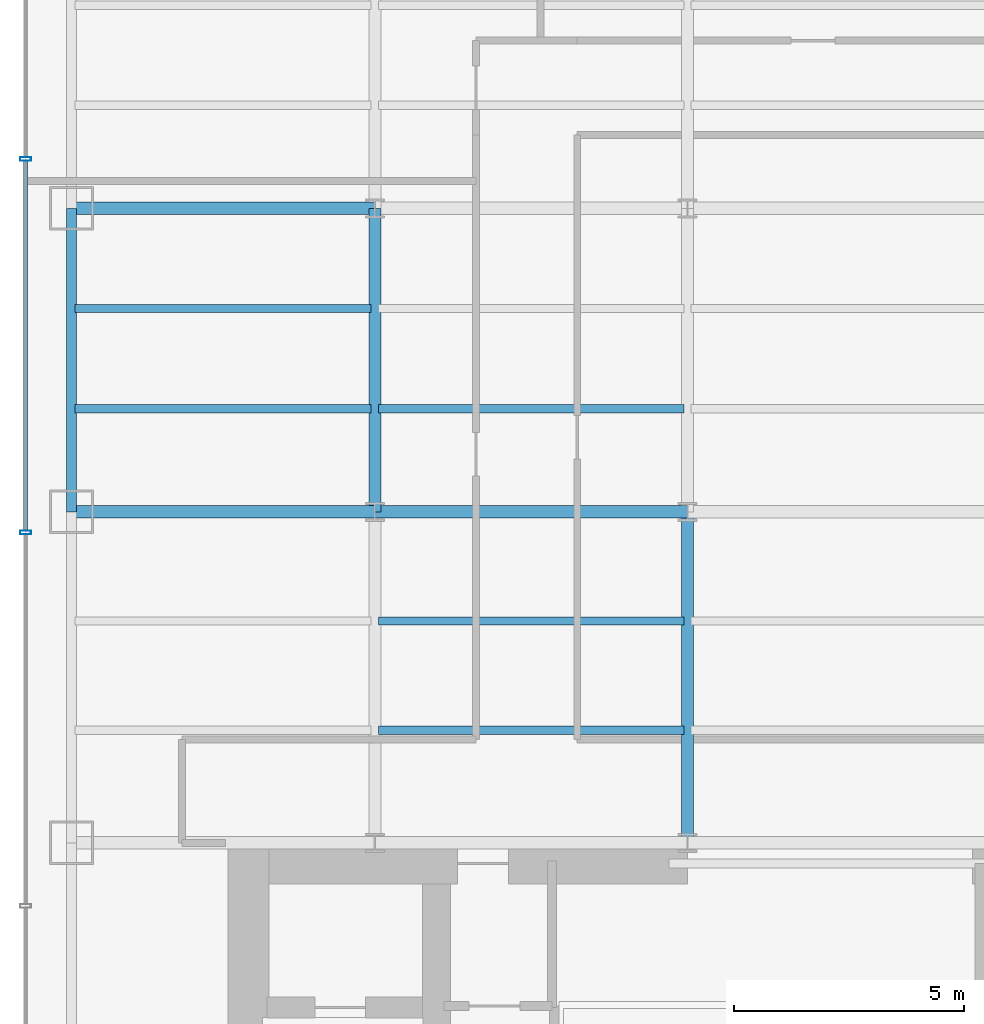
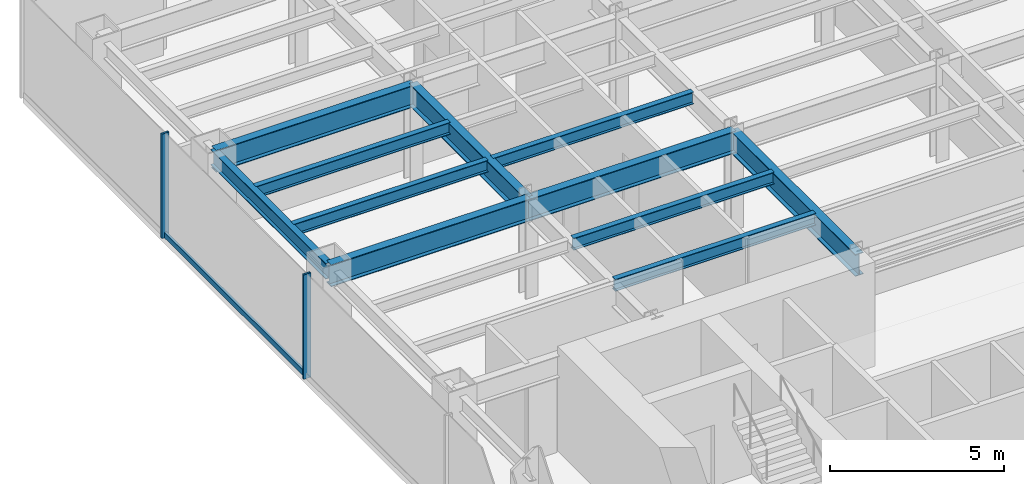
# One storey, part 4 of 23: 11 beams, 3 members, 1 element without a shape of its own.
"""IFC4 building model written with IfcOpenShell, lengths in metres."""

from ifc_helpers import new_model, si_unit, derived_unit, direction, frame, origin, origin_2d, place, context, subcontext, project, spatial, hollow_rectangle, i_section, extrude, source, transform, mapped, material, material_profile, profile_set, type_object, element, aggregate, save


model = new_model("IFC4")

# Units and contexts
model_context = context("Model", 3, precision=1e-05, world=origin(), true_north=direction((0.0, 1.0)))
body_context = subcontext(model_context, "Body", "Model", "MODEL_VIEW")
ifc_project = project(units=[si_unit("LENGTHUNIT", "METRE"), si_unit("AREAUNIT", "SQUARE_METRE"), si_unit("VOLUMEUNIT", "CUBIC_METRE"), si_unit("PLANEANGLEUNIT", "RADIAN"), si_unit("MASSUNIT", "GRAM", prefix="KILO"), derived_unit("THERMALTRANSMITTANCEUNIT", [(si_unit("POWERUNIT", "WATT"), 1), (si_unit("LENGTHUNIT", "METRE"), -2), (si_unit("THERMODYNAMICTEMPERATUREUNIT", "KELVIN"), -1)])], contexts=[model_context])

# Site, building, storey
site_placement = place(None, origin())
site = spatial("IfcSite", under=ifc_project, at=site_placement, CompositionType="ELEMENT")
building_placement = place(site_placement, origin())
building = spatial("IfcBuilding", under=site, at=building_placement, Name="Skarnbrae Concourse Arena and Tower", CompositionType="ELEMENT")
storey_placement = place(building_placement, frame((0.0, 0.0, 54.39990234375)))
storey = spatial("IfcBuildingStorey", under=building, at=storey_placement, Name="L12", CompositionType="ELEMENT", Elevation=54.39990234375)

# Beams
ifc_material_1 = material(Name="Steel CSA G40.21 350W", Category="steel")
ifc_material_profile_1 = material_profile(ifc_material_1, i_section(OverallWidth=0.26806640625, OverallDepth=0.77001953125, WebThickness=0.015625, FlangeThickness=0.025390625, at=origin_2d()), Name="W760X196")
ifc_profile_set_1 = profile_set([ifc_material_profile_1], Name="Steel CSA G40.21 350W")
beam_type_1 = type_object("IfcBeamType", Name="BM-GIRD-W760X196", PredefinedType="BEAM", material=ifc_profile_set_1)
shared_shape_1 = source(origin(), body_context, "Body", "SweptSolid", [
    extrude(i_section(OverallWidth=0.26806640625, OverallDepth=0.77001953125, WebThickness=0.015625, FlangeThickness=0.025390625, at=origin_2d()), origin(), (0.0, 0.0, 1.0), 6.60009765625),
])
for number, where, z_axis, x_axis, name in (
    (1, (1.0, 21.199951171875, 3.01513671875), (1.0, 0.0, 0.0), (0.0, 1.0, 0.0), "L12 Primary E-W girder Y21.2-1"),
    (2, (1.0, 27.800048828125, 3.01513671875), (1.0, 0.0, 0.0), (0.0, 1.0, 0.0), "L12 Primary E-W girder Y27.8-1"),
    (3, (7.60009765625, 21.199951171875, 3.01513671875), (0.0, 1.0, 0.0), (-1.0, 0.0, 0.0), "L12 Primary N-S girder X7.6-2"),
):
    element("IfcBeam", number, at=place(storey_placement, frame(where, z_axis=z_axis, x_axis=x_axis)), inside=storey, type_object=beam_type_1, Name=name, PredefinedType="BEAM", context=body_context, shape_type="MappedRepresentation", body=[
        mapped(shared_shape_1, transform((0.0, 0.0, 0.0))),
    ])
shared_shape_2 = source(origin(), body_context, "Body", "SweptSolid", [
    extrude(i_section(OverallWidth=0.26806640625, OverallDepth=0.77001953125, WebThickness=0.015625, FlangeThickness=0.025390625, at=origin_2d()), origin(), (0.0, 0.0, 1.0), 6.7998046875),
])
beam_1_placement = place(storey_placement, frame((7.60009765625, 21.199951171875, 3.01513671875), z_axis=(1.0, 0.0, 0.0), x_axis=(0.0, 1.0, 0.0)))
element("IfcBeam", 4, at=beam_1_placement, inside=storey, type_object=beam_type_1, Name="L12 Primary E-W girder Y21.2-2", PredefinedType="BEAM", context=body_context, shape_type="MappedRepresentation", body=[
    mapped(shared_shape_2, transform((0.0, 0.0, 0.0))),
])
ifc_material_profile_2 = material_profile(ifc_material_1, i_section(OverallWidth=0.214111328125, OverallDepth=0.549072265625, WebThickness=0.0146484375, FlangeThickness=0.023681640625, at=origin_2d()), Name="W530X138")
ifc_profile_set_2 = profile_set([ifc_material_profile_2], Name="Steel CSA G40.21 350W")
beam_type_2 = type_object("IfcBeamType", Name="BM-SPAN-W530X138", PredefinedType="SPANDREL", material=ifc_profile_set_2)
shared_shape_3 = source(origin(), body_context, "Body", "SweptSolid", [
    extrude(i_section(OverallWidth=0.214111328125, OverallDepth=0.549072265625, WebThickness=0.0146484375, FlangeThickness=0.023681640625, at=origin_2d()), origin(), (0.0, 0.0, 1.0), 6.60009765625),
])
beam_2_placement = place(storey_placement, frame((1.0, 21.199951171875, 3.12548828125), z_axis=(0.0, 1.0, 0.0), x_axis=(-1.0, 0.0, 0.0)))
element("IfcBeam", 5, at=beam_2_placement, inside=storey, type_object=beam_type_2, Name="L12 Perimeter spandrel X1.0-3", PredefinedType="SPANDREL", context=body_context, shape_type="MappedRepresentation", body=[
    mapped(shared_shape_3, transform((0.0, 0.0, 0.0))),
])
shared_shape_4 = source(origin(), body_context, "Body", "SweptSolid", [
    extrude(i_section(OverallWidth=0.26806640625, OverallDepth=0.77001953125, WebThickness=0.015625, FlangeThickness=0.025390625, at=origin_2d()), origin(), (0.0, 0.0, 1.0), 7.199951171875),
])
beam_3_placement = place(storey_placement, frame((14.39990234375, 14.0, 3.01513671875), z_axis=(0.0, 1.0, 0.0), x_axis=(-1.0, 0.0, 0.0)))
element("IfcBeam", 6, at=beam_3_placement, inside=storey, type_object=beam_type_1, Name="L12 Primary N-S girder X14.4-1", PredefinedType="BEAM", context=body_context, shape_type="MappedRepresentation", body=[
    mapped(shared_shape_4, transform((0.0, 0.0, 0.0))),
])
ifc_material_profile_3 = material_profile(ifc_material_1, i_section(OverallWidth=0.180908203125, OverallDepth=0.4169921875, WebThickness=0.010986328125, FlangeThickness=0.018310546875, at=origin_2d()), Name="W410X85")
ifc_profile_set_3 = profile_set([ifc_material_profile_3], Name="Steel CSA G40.21 350W")
beam_type_3 = type_object("IfcBeamType", Name="BM-JOIST-W410X85", PredefinedType="JOIST", material=ifc_profile_set_3)
shared_shape_5 = source(origin(), body_context, "Body", "SweptSolid", [
    extrude(i_section(OverallWidth=0.180908203125, OverallDepth=0.4169921875, WebThickness=0.010986328125, FlangeThickness=0.018310546875, at=origin_2d()), origin(), (0.0, 0.0, 1.0), 6.43994140625),
])
for number, where, z_axis, x_axis, name in (
    (7, (1.080078125, 23.444091796875, 3.191650390625), (1.0, 0.0, 0.0), (0.0, 1.0, 0.0), "L12 Secondary floor joist 2.1.1"),
    (8, (1.080078125, 25.6220703125, 3.191650390625), (1.0, 0.0, 0.0), (0.0, 1.0, 0.0), "L12 Secondary floor joist 2.2.1"),
):
    element("IfcBeam", number, at=place(storey_placement, frame(where, z_axis=z_axis, x_axis=x_axis)), inside=storey, type_object=beam_type_3, Name=name, PredefinedType="JOIST", context=body_context, shape_type="MappedRepresentation", body=[
        mapped(shared_shape_5, transform((0.0, 0.0, 0.0))),
    ])
shared_shape_6 = source(origin(), body_context, "Body", "SweptSolid", [
    extrude(i_section(OverallWidth=0.180908203125, OverallDepth=0.4169921875, WebThickness=0.010986328125, FlangeThickness=0.018310546875, at=origin_2d()), origin(), (0.0, 0.0, 1.0), 6.64013671875),
])
for number, where, z_axis, x_axis, name in (
    (9, (7.679931640625, 16.447998046875, 3.191650390625), (1.0, 0.0, 0.0), (0.0, 1.0, 0.0), "L12 Secondary floor joist 1.1.2"),
    (10, (7.679931640625, 18.823974609375, 3.191650390625), (1.0, 0.0, 0.0), (0.0, 1.0, 0.0), "L12 Secondary floor joist 1.2.2"),
    (11, (7.679931640625, 23.444091796875, 3.191650390625), (1.0, 0.0, 0.0), (0.0, 1.0, 0.0), "L12 Secondary floor joist 2.1.2"),
):
    element("IfcBeam", number, at=place(storey_placement, frame(where, z_axis=z_axis, x_axis=x_axis)), inside=storey, type_object=beam_type_3, Name=name, PredefinedType="JOIST", context=body_context, shape_type="MappedRepresentation", body=[
        mapped(shared_shape_6, transform((0.0, 0.0, 0.0))),
    ])

# Curtain wall, members
ifc_material_2 = material(Name="Bronze anodised aluminium 6063-T6", Category="aluminium")
curtain_wall_type = type_object("IfcCurtainWallType", Name="CW-SYS-02-LOWZONE", PredefinedType="USERDEFINED", material=ifc_material_2)
curtain_wall_placement = place(storey_placement, origin())
curtain_wall = element("IfcCurtainWall", 12, at=curtain_wall_placement, inside=storey, type_object=curtain_wall_type, Name="L12 Unitised curtain wall CW-L12-E19", ObjectType="UNITISED CURTAIN WALL", PredefinedType="USERDEFINED")
ifc_material_profile_4 = material_profile(ifc_material_2, hollow_rectangle(XDim=0.080078125, YDim=0.18994140625, WallThickness=0.0048828125, at=origin_2d()), Name="ALU-TRAN-80X190")
ifc_profile_set_4 = profile_set([ifc_material_profile_4], Name="Bronze anodised aluminium 6063-T6")
member_type_1 = type_object("IfcMemberType", Name="CWT-CW-02", PredefinedType="USERDEFINED", material=ifc_profile_set_4)
shared_shape_7 = source(origin(), body_context, "Body", "SweptSolid", [
    extrude(hollow_rectangle(XDim=0.080078125, YDim=0.18994140625, WallThickness=0.0048828125, at=origin_2d()), origin(), (0.0, 0.0, 1.0), 8.044921875),
])
member_1_placement = place(storey_placement, frame((0.0, 28.8349609375, 0.09521484375), z_axis=(0.0, -1.0, 0.0), x_axis=(1.0, 0.0, 0.0)))
member_1 = element("IfcMember", 13, at=member_1_placement, type_object=member_type_1, Name="CW-L12-E19 Transom 2", ObjectType="TRANSOM", PredefinedType="USERDEFINED", context=body_context, shape_type="MappedRepresentation", body=[
    mapped(shared_shape_7, transform((0.0, 0.0, 0.0))),
])
ifc_material_profile_5 = material_profile(ifc_material_2, hollow_rectangle(XDim=0.080078125, YDim=0.239990234375, WallThickness=0.0048828125, at=origin_2d()), Name="ALU-MULL-80X240")
ifc_profile_set_5 = profile_set([ifc_material_profile_5], Name="Bronze anodised aluminium 6063-T6")
member_type_2 = type_object("IfcMemberType", Name="CWM-CW-02", PredefinedType="MULLION", material=ifc_profile_set_5)
shared_shape_8 = source(origin(), body_context, "Body", "SweptSolid", [
    extrude(hollow_rectangle(XDim=0.080078125, YDim=0.239990234375, WallThickness=0.0048828125, at=origin_2d()), origin(), (0.0, 0.0, 1.0), 3.650146484375),
])
member_2_placement = place(storey_placement, frame((0.0, 28.875, 0.0), z_axis=(0.0, 0.0, 1.0), x_axis=(0.0, -1.0, 0.0)))
member_2 = element("IfcMember", 14, at=member_2_placement, type_object=member_type_2, Name="CW-L12-E19 Mullion 2", PredefinedType="MULLION", context=body_context, shape_type="MappedRepresentation", body=[
    mapped(shared_shape_8, transform((0.0, 0.0, 0.0))),
])
member_3_placement = place(storey_placement, frame((0.0, 20.75, 0.0), z_axis=(0.0, 0.0, 1.0), x_axis=(0.0, -1.0, 0.0)))
member_3 = element("IfcMember", 15, at=member_3_placement, type_object=member_type_2, Name="CW-L12-E19 Mullion 3", PredefinedType="MULLION", context=body_context, shape_type="MappedRepresentation", body=[
    mapped(shared_shape_8, transform((0.0, 0.0, 0.0))),
])
aggregate(curtain_wall, [member_2, member_3, member_1])

save(model, "model.ifc")
